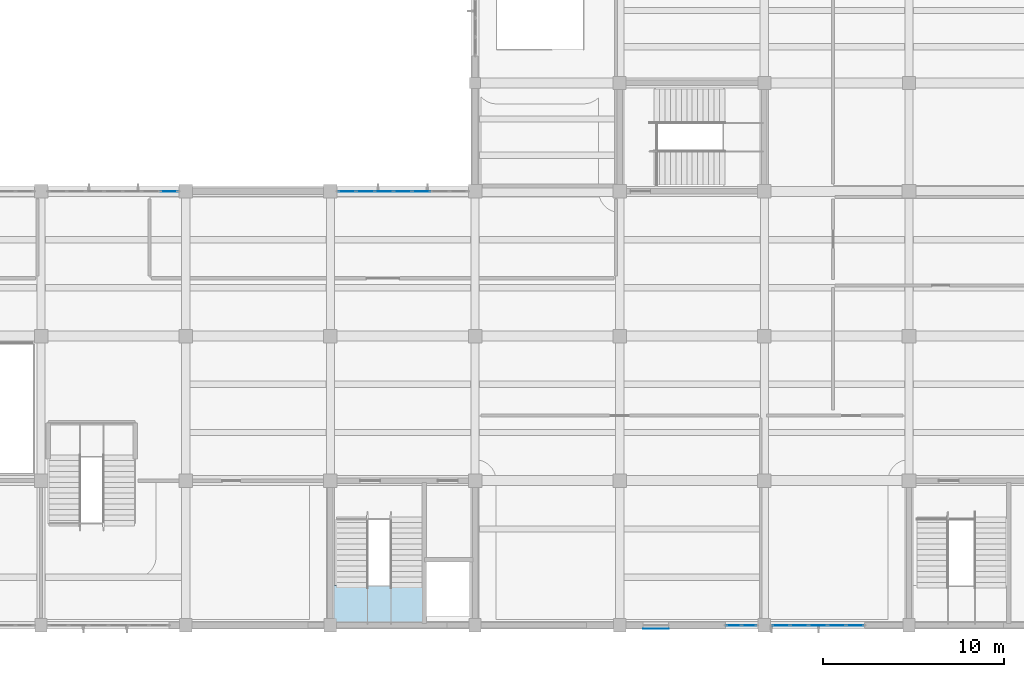
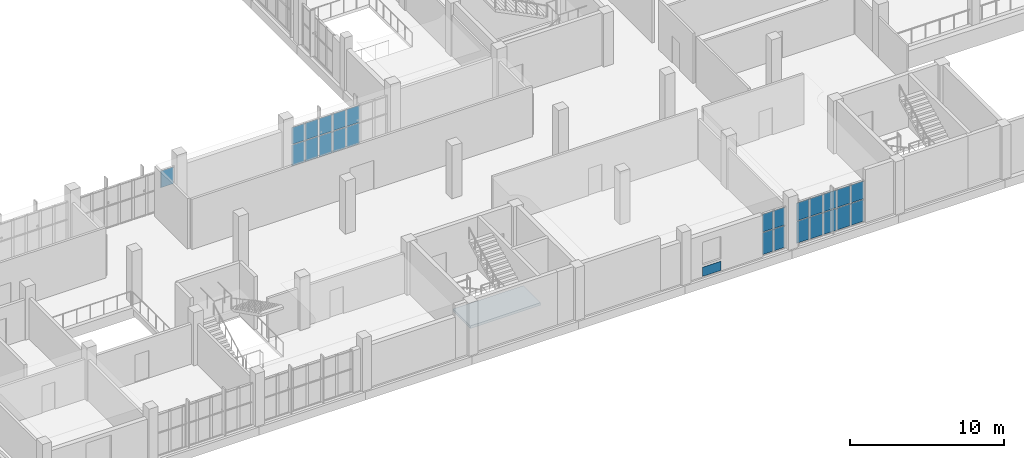
# One storey, part 50 of 85: 26 plates, 1 slab, 5 elements without a shape of their own.
"""IFC4 building model written with IfcOpenShell, lengths in metres."""

from ifc_helpers import new_model, si_unit, direction, frame, origin, origin_2d, place, context, subcontext, project, spatial, polyline, rectangle, outline, extrude, material, layer, layer_set, type_object, element, aggregate, save


model = new_model("IFC4")

# Units and contexts
model_context = context("Model", 3, precision=1e-05, world=origin(), true_north=direction((0.0, 1.0)))
body_context = subcontext(model_context, "Body", "Model", "MODEL_VIEW")
ifc_project = project(units=[si_unit("LENGTHUNIT", "METRE"), si_unit("AREAUNIT", "SQUARE_METRE"), si_unit("VOLUMEUNIT", "CUBIC_METRE"), si_unit("PLANEANGLEUNIT", "RADIAN"), si_unit("MASSUNIT", "GRAM", prefix="KILO")], contexts=[model_context])

# Site, building, storey
site_placement = place(None, origin())
site = spatial("IfcSite", under=ifc_project, at=site_placement, CompositionType="ELEMENT")
building_placement = place(site_placement, origin())
building = spatial("IfcBuilding", under=site, at=building_placement, Name="Solvane Community Centre", CompositionType="ELEMENT")
storey_placement = place(building_placement, frame((0.0, 0.0, 5.39990234375)))
storey = spatial("IfcBuildingStorey", under=building, at=storey_placement, Name="L01", CompositionType="ELEMENT", Elevation=5.39990234375)

# Plate
ifc_material_1 = material(Name="Anodised bronze aluminium AW-6063 T6", Category="aluminium")
ifc_layer_1 = layer(ifc_material_1, 0.02392578125)
ifc_layer_set_1 = layer_set([ifc_layer_1], Name="Anodised bronze aluminium AW-6063 T6")
plate_type_1 = type_object("IfcPlateType", Name="Bronze Spandrel Cassette 24mm", PredefinedType="SHEET", material=ifc_layer_set_1)
plate_1_placement = place(storey_placement, frame((118.0, 5.81298828125, 0.06005859375), z_axis=(0.0, 0.0, 1.0), x_axis=(-1.0, 0.0, 0.0)))
element("IfcPlate", 1, at=plate_1_placement, inside=storey, type_object=plate_type_1, Name="Art Deco Spandrel SPC-L01-023", PredefinedType="SHEET", context=body_context, shape_type="SweptSolid", body=[
    extrude(rectangle(XDim=1.39990234375, YDim=0.02392578125, at=origin_2d()), origin(), (0.0, 0.0, 1.0), 0.719970703125),
])

# Curtain wall, plates
ifc_layer_2 = layer(ifc_material_1, 0.18994140625)
ifc_layer_set_2 = layer_set([ifc_layer_2], Name="Anodised bronze aluminium AW-6063 T6")
curtain_wall_type_1 = type_object("IfcCurtainWallType", Name="Boulevard Bronze Vision Curtain Wall [18x33dm]", PredefinedType="NOTDEFINED", material=ifc_layer_set_2)
curtain_wall_1_placement = place(storey_placement, origin())
curtain_wall_1 = element("IfcCurtainWall", 2, at=curtain_wall_1_placement, inside=storey, type_object=curtain_wall_type_1, Name="Curtain Wall CW-L01-1236_60-077", PredefinedType="NOTDEFINED")
ifc_material_2 = material(Name="Tempered low-E double glazing", Category="glass")
ifc_layer_3 = layer(ifc_material_2, 0.028076171875)
ifc_layer_set_3 = layer_set([ifc_layer_3], Name="Tempered low-E double glazing")
plate_type_2 = type_object("IfcPlateType", Name="Low-E Vision Glazing Panel 28mm [18x33dm]", PredefinedType="CURTAIN_PANEL", material=ifc_layer_set_3)
plate_2_placement = place(storey_placement, frame((123.150390625, 6.0, 0.06005859375), z_axis=(0.0, 0.0, 1.0), x_axis=(-1.0, 0.0, 0.0)))
plate_2 = element("IfcPlate", 3, at=plate_2_placement, type_object=plate_type_2, Name="CW02-18x33 panel 1.1", PredefinedType="CURTAIN_PANEL", context=body_context, shape_type="SweptSolid", body=[
    extrude(rectangle(XDim=0.789306640625, YDim=0.028076171875, at=origin_2d()), origin(), (0.0, 0.0, 1.0), 1.73291015625),
])
plate_3_placement = place(storey_placement, frame((123.150390625, 6.0, 1.85302734375), z_axis=(0.0, 0.0, 1.0), x_axis=(-1.0, 0.0, 0.0)))
plate_3 = element("IfcPlate", 4, at=plate_3_placement, type_object=plate_type_2, Name="CW02-18x33 panel 1.2", PredefinedType="CURTAIN_PANEL", context=body_context, shape_type="SweptSolid", body=[
    extrude(rectangle(XDim=0.789306640625, YDim=0.028076171875, at=origin_2d()), origin(), (0.0, 0.0, 1.0), 1.402099609375),
])
plate_4_placement = place(storey_placement, frame((122.30078125, 6.0, 0.06005859375), z_axis=(0.0, 0.0, 1.0), x_axis=(-1.0, 0.0, 0.0)))
plate_4 = element("IfcPlate", 5, at=plate_4_placement, type_object=plate_type_2, Name="CW02-18x33 panel 2.1", PredefinedType="CURTAIN_PANEL", context=body_context, shape_type="SweptSolid", body=[
    extrude(rectangle(XDim=0.789306640625, YDim=0.028076171875, at=origin_2d()), origin(), (0.0, 0.0, 1.0), 1.73291015625),
])
plate_5_placement = place(storey_placement, frame((122.30078125, 6.0, 1.85302734375), z_axis=(0.0, 0.0, 1.0), x_axis=(-1.0, 0.0, 0.0)))
plate_5 = element("IfcPlate", 6, at=plate_5_placement, type_object=plate_type_2, Name="CW02-18x33 panel 2.2", PredefinedType="CURTAIN_PANEL", context=body_context, shape_type="SweptSolid", body=[
    extrude(rectangle(XDim=0.789306640625, YDim=0.028076171875, at=origin_2d()), origin(), (0.0, 0.0, 1.0), 1.402099609375),
])
aggregate(curtain_wall_1, [plate_2, plate_3, plate_4, plate_5])

ifc_layer_4 = layer(ifc_material_1, 0.18994140625)
ifc_layer_set_4 = layer_set([ifc_layer_4], Name="Anodised bronze aluminium AW-6063 T6")
curtain_wall_type_2 = type_object("IfcCurtainWallType", Name="Boulevard Bronze Vision Curtain Wall [51x33dm]", PredefinedType="NOTDEFINED", material=ifc_layer_set_4)
curtain_wall_2_placement = place(storey_placement, origin())
curtain_wall_2 = element("IfcCurtainWall", 7, at=curtain_wall_2_placement, inside=storey, type_object=curtain_wall_type_2, Name="Curtain Wall CW-L01-1295_60-076", PredefinedType="NOTDEFINED")
ifc_layer_5 = layer(ifc_material_2, 0.028076171875)
ifc_layer_set_5 = layer_set([ifc_layer_5], Name="Tempered low-E double glazing")
plate_type_3 = type_object("IfcPlateType", Name="Low-E Vision Glazing Panel 28mm [51x33dm]", PredefinedType="CURTAIN_PANEL", material=ifc_layer_set_5)
plate_6_placement = place(storey_placement, frame((129.009033203125, 6.0, 0.06005859375), z_axis=(0.0, 0.0, 1.0), x_axis=(-1.0, 0.0, 0.0)))
plate_6 = element("IfcPlate", 8, at=plate_6_placement, type_object=plate_type_3, Name="CW02-51x33 panel 1.1", PredefinedType="CURTAIN_PANEL", context=body_context, shape_type="SweptSolid", body=[
    extrude(rectangle(XDim=0.938720703125, YDim=0.028076171875, at=origin_2d()), origin(), (0.0, 0.0, 1.0), 1.73291015625),
])
plate_7_placement = place(storey_placement, frame((129.009033203125, 6.0, 1.85302734375), z_axis=(0.0, 0.0, 1.0), x_axis=(-1.0, 0.0, 0.0)))
plate_7 = element("IfcPlate", 9, at=plate_7_placement, type_object=plate_type_3, Name="CW02-51x33 panel 1.2", PredefinedType="CURTAIN_PANEL", context=body_context, shape_type="SweptSolid", body=[
    extrude(rectangle(XDim=0.938720703125, YDim=0.028076171875, at=origin_2d()), origin(), (0.0, 0.0, 1.0), 1.402099609375),
])
plate_8_placement = place(storey_placement, frame((127.995361328125, 6.0, 0.06005859375), z_axis=(0.0, 0.0, 1.0), x_axis=(-1.0, 0.0, 0.0)))
plate_8 = element("IfcPlate", 10, at=plate_8_placement, type_object=plate_type_3, Name="CW02-51x33 panel 2.1", PredefinedType="CURTAIN_PANEL", context=body_context, shape_type="SweptSolid", body=[
    extrude(rectangle(XDim=0.96875, YDim=0.028076171875, at=origin_2d()), origin(), (0.0, 0.0, 1.0), 1.73291015625),
])
plate_9_placement = place(storey_placement, frame((127.995361328125, 6.0, 1.85302734375), z_axis=(0.0, 0.0, 1.0), x_axis=(-1.0, 0.0, 0.0)))
plate_9 = element("IfcPlate", 11, at=plate_9_placement, type_object=plate_type_3, Name="CW02-51x33 panel 2.2", PredefinedType="CURTAIN_PANEL", context=body_context, shape_type="SweptSolid", body=[
    extrude(rectangle(XDim=0.96875, YDim=0.028076171875, at=origin_2d()), origin(), (0.0, 0.0, 1.0), 1.402099609375),
])
plate_10_placement = place(storey_placement, frame((126.966796875, 6.0, 0.06005859375), z_axis=(0.0, 0.0, 1.0), x_axis=(-1.0, 0.0, 0.0)))
plate_10 = element("IfcPlate", 12, at=plate_10_placement, type_object=plate_type_3, Name="CW02-51x33 panel 3.1", PredefinedType="CURTAIN_PANEL", context=body_context, shape_type="SweptSolid", body=[
    extrude(rectangle(XDim=0.96875, YDim=0.028076171875, at=origin_2d()), origin(), (0.0, 0.0, 1.0), 1.73291015625),
])
plate_11_placement = place(storey_placement, frame((126.966796875, 6.0, 1.85302734375), z_axis=(0.0, 0.0, 1.0), x_axis=(-1.0, 0.0, 0.0)))
plate_11 = element("IfcPlate", 13, at=plate_11_placement, type_object=plate_type_3, Name="CW02-51x33 panel 3.2", PredefinedType="CURTAIN_PANEL", context=body_context, shape_type="SweptSolid", body=[
    extrude(rectangle(XDim=0.96875, YDim=0.028076171875, at=origin_2d()), origin(), (0.0, 0.0, 1.0), 1.402099609375),
])
plate_12_placement = place(storey_placement, frame((125.93798828125, 6.0, 0.06005859375), z_axis=(0.0, 0.0, 1.0), x_axis=(-1.0, 0.0, 0.0)))
plate_12 = element("IfcPlate", 14, at=plate_12_placement, type_object=plate_type_3, Name="CW02-51x33 panel 4.1", PredefinedType="CURTAIN_PANEL", context=body_context, shape_type="SweptSolid", body=[
    extrude(rectangle(XDim=0.96875, YDim=0.028076171875, at=origin_2d()), origin(), (0.0, 0.0, 1.0), 1.73291015625),
])
plate_13_placement = place(storey_placement, frame((125.93798828125, 6.0, 1.85302734375), z_axis=(0.0, 0.0, 1.0), x_axis=(-1.0, 0.0, 0.0)))
plate_13 = element("IfcPlate", 15, at=plate_13_placement, type_object=plate_type_3, Name="CW02-51x33 panel 4.2", PredefinedType="CURTAIN_PANEL", context=body_context, shape_type="SweptSolid", body=[
    extrude(rectangle(XDim=0.96875, YDim=0.028076171875, at=origin_2d()), origin(), (0.0, 0.0, 1.0), 1.402099609375),
])
plate_14_placement = place(storey_placement, frame((124.92431640625, 6.0, 0.06005859375), z_axis=(0.0, 0.0, 1.0), x_axis=(-1.0, 0.0, 0.0)))
plate_14 = element("IfcPlate", 16, at=plate_14_placement, type_object=plate_type_3, Name="CW02-51x33 panel 5.1", PredefinedType="CURTAIN_PANEL", context=body_context, shape_type="SweptSolid", body=[
    extrude(rectangle(XDim=0.938720703125, YDim=0.028076171875, at=origin_2d()), origin(), (0.0, 0.0, 1.0), 1.73291015625),
])
plate_15_placement = place(storey_placement, frame((124.92431640625, 6.0, 1.85302734375), z_axis=(0.0, 0.0, 1.0), x_axis=(-1.0, 0.0, 0.0)))
plate_15 = element("IfcPlate", 17, at=plate_15_placement, type_object=plate_type_3, Name="CW02-51x33 panel 5.2", PredefinedType="CURTAIN_PANEL", context=body_context, shape_type="SweptSolid", body=[
    extrude(rectangle(XDim=0.938720703125, YDim=0.028076171875, at=origin_2d()), origin(), (0.0, 0.0, 1.0), 1.402099609375),
])
aggregate(curtain_wall_2, [plate_6, plate_7, plate_8, plate_9, plate_10, plate_11, plate_12, plate_13, plate_14, plate_15])

# Curtain wall, plate
ifc_layer_6 = layer(ifc_material_1, 0.18994140625)
ifc_layer_set_6 = layer_set([ifc_layer_6], Name="Anodised bronze aluminium AW-6063 T6")
curtain_wall_type_3 = type_object("IfcCurtainWallType", Name="Boulevard Bronze Vision Curtain Wall [72x32dm]", PredefinedType="NOTDEFINED", material=ifc_layer_set_6)
curtain_wall_3_placement = place(storey_placement, origin())
curtain_wall_3 = element("IfcCurtainWall", 18, at=curtain_wall_3_placement, inside=storey, type_object=curtain_wall_type_3, Name="Curtain Wall CW-L01-844_300-112", PredefinedType="NOTDEFINED")
ifc_layer_7 = layer(ifc_material_2, 0.028076171875)
ifc_layer_set_7 = layer_set([ifc_layer_7], Name="Tempered low-E double glazing")
plate_type_4 = type_object("IfcPlateType", Name="Low-E Vision Glazing Panel 28mm [72x32dm]", PredefinedType="CURTAIN_PANEL", material=ifc_layer_set_7)
plate_16_placement = place(storey_placement, frame((91.079345703125, 30.0, 1.77099609375), z_axis=(0.0, 0.0, 1.0), x_axis=(1.0, 0.0, 0.0)))
plate_16 = element("IfcPlate", 19, at=plate_16_placement, type_object=plate_type_4, Name="CW02-72x32 panel 7.2", PredefinedType="CURTAIN_PANEL", context=body_context, shape_type="SweptSolid", body=[
    extrude(rectangle(XDim=0.94140625, YDim=0.028076171875, at=origin_2d()), origin(), (0.0, 0.0, 1.0), 1.333984375),
])
aggregate(curtain_wall_3, [plate_16])

# Curtain wall, plates
curtain_wall_4_placement = place(storey_placement, origin())
curtain_wall_4 = element("IfcCurtainWall", 20, at=curtain_wall_4_placement, inside=storey, type_object=curtain_wall_type_3, Name="Curtain Wall CW-L01-1004_300-113", PredefinedType="NOTDEFINED")
plate_17_placement = place(storey_placement, frame((100.920654296875, 30.0, 0.06005859375), z_axis=(0.0, 0.0, 1.0), x_axis=(1.0, 0.0, 0.0)))
plate_17 = element("IfcPlate", 21, at=plate_17_placement, type_object=plate_type_4, Name="CW02-72x32 panel 1.1", PredefinedType="CURTAIN_PANEL", context=body_context, shape_type="SweptSolid", body=[
    extrude(rectangle(XDim=0.94140625, YDim=0.028076171875, at=origin_2d()), origin(), (0.0, 0.0, 1.0), 1.65087890625),
])
plate_18_placement = place(storey_placement, frame((100.920654296875, 30.0, 1.77099609375), z_axis=(0.0, 0.0, 1.0), x_axis=(1.0, 0.0, 0.0)))
plate_18 = element("IfcPlate", 22, at=plate_18_placement, type_object=plate_type_4, Name="CW02-72x32 panel 1.2", PredefinedType="CURTAIN_PANEL", context=body_context, shape_type="SweptSolid", body=[
    extrude(rectangle(XDim=0.94140625, YDim=0.028076171875, at=origin_2d()), origin(), (0.0, 0.0, 1.0), 1.333984375),
])
plate_19_placement = place(storey_placement, frame((101.937255859375, 30.0, 0.06005859375), z_axis=(0.0, 0.0, 1.0), x_axis=(1.0, 0.0, 0.0)))
plate_19 = element("IfcPlate", 23, at=plate_19_placement, type_object=plate_type_4, Name="CW02-72x32 panel 2.1", PredefinedType="CURTAIN_PANEL", context=body_context, shape_type="SweptSolid", body=[
    extrude(rectangle(XDim=0.971435546875, YDim=0.028076171875, at=origin_2d()), origin(), (0.0, 0.0, 1.0), 1.65087890625),
])
plate_20_placement = place(storey_placement, frame((101.937255859375, 30.0, 1.77099609375), z_axis=(0.0, 0.0, 1.0), x_axis=(1.0, 0.0, 0.0)))
plate_20 = element("IfcPlate", 24, at=plate_20_placement, type_object=plate_type_4, Name="CW02-72x32 panel 2.2", PredefinedType="CURTAIN_PANEL", context=body_context, shape_type="SweptSolid", body=[
    extrude(rectangle(XDim=0.971435546875, YDim=0.028076171875, at=origin_2d()), origin(), (0.0, 0.0, 1.0), 1.333984375),
])
plate_21_placement = place(storey_placement, frame((102.968505859375, 30.0, 0.06005859375), z_axis=(0.0, 0.0, 1.0), x_axis=(1.0, 0.0, 0.0)))
plate_21 = element("IfcPlate", 25, at=plate_21_placement, type_object=plate_type_4, Name="CW02-72x32 panel 3.1", PredefinedType="CURTAIN_PANEL", context=body_context, shape_type="SweptSolid", body=[
    extrude(rectangle(XDim=0.971435546875, YDim=0.028076171875, at=origin_2d()), origin(), (0.0, 0.0, 1.0), 1.65087890625),
])
plate_22_placement = place(storey_placement, frame((102.968505859375, 30.0, 1.77099609375), z_axis=(0.0, 0.0, 1.0), x_axis=(1.0, 0.0, 0.0)))
plate_22 = element("IfcPlate", 26, at=plate_22_placement, type_object=plate_type_4, Name="CW02-72x32 panel 3.2", PredefinedType="CURTAIN_PANEL", context=body_context, shape_type="SweptSolid", body=[
    extrude(rectangle(XDim=0.971435546875, YDim=0.028076171875, at=origin_2d()), origin(), (0.0, 0.0, 1.0), 1.333984375),
])
plate_23_placement = place(storey_placement, frame((104.0, 30.0, 0.06005859375), z_axis=(0.0, 0.0, 1.0), x_axis=(1.0, 0.0, 0.0)))
plate_23 = element("IfcPlate", 27, at=plate_23_placement, type_object=plate_type_4, Name="CW02-72x32 panel 4.1", PredefinedType="CURTAIN_PANEL", context=body_context, shape_type="SweptSolid", body=[
    extrude(rectangle(XDim=0.971435546875, YDim=0.028076171875, at=origin_2d()), origin(), (0.0, 0.0, 1.0), 1.65087890625),
])
plate_24_placement = place(storey_placement, frame((104.0, 30.0, 1.77099609375), z_axis=(0.0, 0.0, 1.0), x_axis=(1.0, 0.0, 0.0)))
plate_24 = element("IfcPlate", 28, at=plate_24_placement, type_object=plate_type_4, Name="CW02-72x32 panel 4.2", PredefinedType="CURTAIN_PANEL", context=body_context, shape_type="SweptSolid", body=[
    extrude(rectangle(XDim=0.971435546875, YDim=0.028076171875, at=origin_2d()), origin(), (0.0, 0.0, 1.0), 1.333984375),
])
plate_25_placement = place(storey_placement, frame((105.031494140625, 30.0, 0.06005859375), z_axis=(0.0, 0.0, 1.0), x_axis=(1.0, 0.0, 0.0)))
plate_25 = element("IfcPlate", 29, at=plate_25_placement, type_object=plate_type_4, Name="CW02-72x32 panel 5.1", PredefinedType="CURTAIN_PANEL", context=body_context, shape_type="SweptSolid", body=[
    extrude(rectangle(XDim=0.971435546875, YDim=0.028076171875, at=origin_2d()), origin(), (0.0, 0.0, 1.0), 1.65087890625),
])
plate_26_placement = place(storey_placement, frame((105.031494140625, 30.0, 1.77099609375), z_axis=(0.0, 0.0, 1.0), x_axis=(1.0, 0.0, 0.0)))
plate_26 = element("IfcPlate", 30, at=plate_26_placement, type_object=plate_type_4, Name="CW02-72x32 panel 5.2", PredefinedType="CURTAIN_PANEL", context=body_context, shape_type="SweptSolid", body=[
    extrude(rectangle(XDim=0.971435546875, YDim=0.028076171875, at=origin_2d()), origin(), (0.0, 0.0, 1.0), 1.333984375),
])
aggregate(curtain_wall_4, [plate_17, plate_18, plate_19, plate_20, plate_21, plate_22, plate_23, plate_24, plate_25, plate_26])

# Stair, slab
ifc_material_3 = material(Name="Concrete C35/45", Category="concrete")
stair_type = type_object("IfcStairType", Name="RC Two-Flight Escape Stair 1720mm", PredefinedType="TWO_STRAIGHT_RUN_STAIR", material=ifc_material_3)
stair_placement = place(storey_placement, origin())
stair = element("IfcStair", 31, at=stair_placement, inside=storey, type_object=stair_type, Name="Stair STR-C2-L01", PredefinedType="TWO_STRAIGHT_RUN_STAIR")
ifc_layer_8 = layer(ifc_material_3, 0.199951171875)
ifc_layer_set_8 = layer_set([ifc_layer_8], Name="Concrete C35/45")
slab_type = type_object("IfcSlabType", Name="RC Stair Half-Landing Slab 200mm", PredefinedType="LANDING", material=ifc_layer_set_8)
slab_placement = place(storey_placement, frame((0.0, 0.0, 1.900146484375)))
slab = element("IfcSlab", 32, at=slab_placement, type_object=slab_type, Name="ST-02 landing 1", PredefinedType="LANDING", context=body_context, shape_type="SweptSolid", body=[
    extrude(outline(polyline([(99.9599609375, 5.9599609375), (105.239990234375, 5.9599609375), (105.239990234375, 8.199951171875), (99.9599609375, 8.199951171875), (99.9599609375, 5.9599609375)])), origin(), (0.0, 0.0, 1.0), 0.199951171875),
])
aggregate(stair, [slab])

save(model, "model.ifc")
